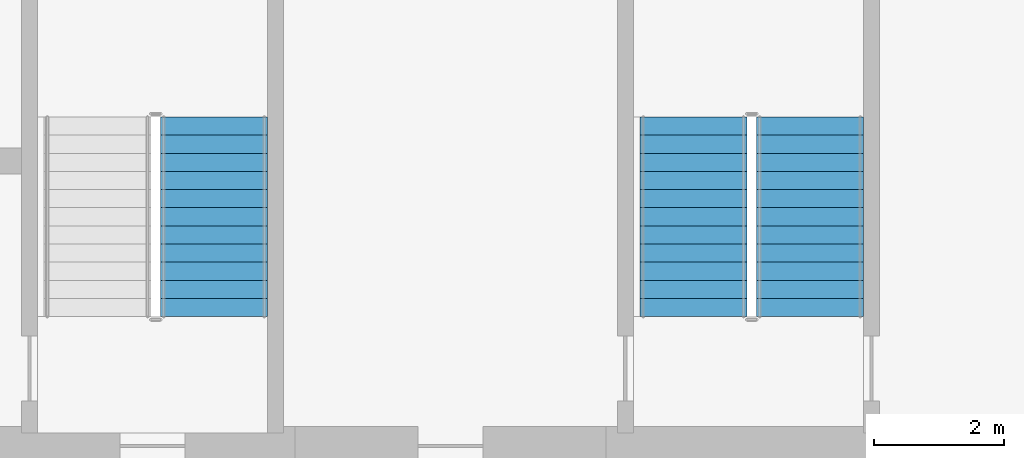
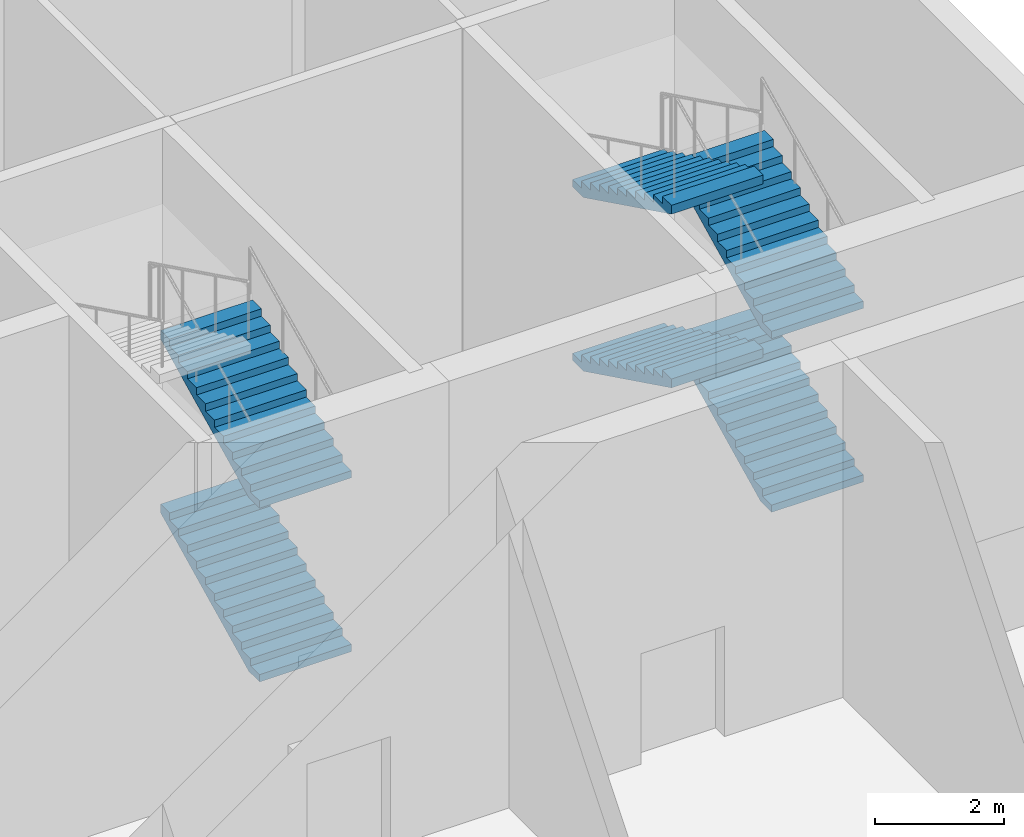
# One storey, part 11 of 13: 6 stair flights, 2 elements without a shape of their own.
"""IFC4 building model written with IfcOpenShell, lengths in metres."""

from ifc_helpers import new_model, si_unit, direction, frame, origin, place, context, subcontext, project, spatial, polyline, outline, extrude, material, layer, layer_set, type_object, element, aggregate, save


model = new_model("IFC4")

# Units and contexts
model_context = context("Model", 3, precision=1e-05, world=origin(), true_north=direction((0.0, 1.0)))
body_context = subcontext(model_context, "Body", "Model", "MODEL_VIEW")
ifc_project = project(units=[si_unit("LENGTHUNIT", "METRE"), si_unit("AREAUNIT", "SQUARE_METRE"), si_unit("VOLUMEUNIT", "CUBIC_METRE"), si_unit("PLANEANGLEUNIT", "RADIAN"), si_unit("MASSUNIT", "GRAM", prefix="KILO")], contexts=[model_context])

# Site, building, storey
site_placement = place(None, origin())
site = spatial("IfcSite", under=ifc_project, at=site_placement, CompositionType="ELEMENT")
building_placement = place(site_placement, origin())
building = spatial("IfcBuilding", under=site, at=building_placement, Name="Poui Terraces", CompositionType="ELEMENT")
storey_placement = place(building_placement, frame((0.0, 0.0, 214.800048828125)))
storey = spatial("IfcBuildingStorey", under=building, at=storey_placement, Name="L60", CompositionType="ELEMENT", Elevation=214.800048828125)

# Stair, stair flights
ifc_material = material(Name="Concrete 50 MPa", Category="concrete")
stair_type = type_object("IfcStairType", Name="EXIT STAIR 1650 50 MPA", PredefinedType="HALF_TURN_STAIR", material=ifc_material)
stair_1_placement = place(storey_placement, origin())
stair_1 = element("IfcStair", 1, at=stair_1_placement, inside=storey, type_object=stair_type, Name="L60 CORE STAIR EAST", PredefinedType="HALF_TURN_STAIR")
ifc_layer = layer(ifc_material, 0.14990234375)
ifc_layer_set = layer_set([ifc_layer], Name="Concrete 50 MPa")
stair_flight_type = type_object("IfcStairFlightType", Name="STAIR FLIGHT 12 RISERS 138 RISE 50 MPA", PredefinedType="STRAIGHT", material=ifc_layer_set)
stair_flight_1_placement = place(storey_placement, frame((71.050048828125, 16.60009765625, 0.0), z_axis=(0.0, 0.0, 1.0), x_axis=(0.0, 1.0, 0.0)))
stair_flight_1 = element("IfcStairFlight", 2, at=stair_flight_1_placement, type_object=stair_flight_type, Name="ST-CE flight 1", NumberOfRisers=12, NumberOfTreads=11, PredefinedType="STRAIGHT", RiserHeight=0.1375, TreadLength=0.28, context=body_context, shape_type="SweptSolid", body=[
    extrude(outline(polyline([(0.0, 0.0), (0.0, 0.137451171875), (0.280029296875, 0.137451171875), (0.280029296875, 0.27490234375), (0.56005859375, 0.27490234375), (0.56005859375, 0.41259765625), (0.840087890625, 0.41259765625), (0.840087890625, 0.550048828125), (1.1201171875, 0.550048828125), (1.1201171875, 0.6875), (1.39990234375, 0.6875), (1.39990234375, 0.824951171875), (1.679931640625, 0.824951171875), (1.679931640625, 0.96240234375), (1.9599609375, 0.96240234375), (1.9599609375, 1.10009765625), (2.239990234375, 1.10009765625), (2.239990234375, 1.237548828125), (2.52001953125, 1.237548828125), (2.52001953125, 1.375), (2.800048828125, 1.375), (2.800048828125, 1.512451171875), (3.080078125, 1.512451171875), (3.080078125, 1.64990234375), (3.080078125, 1.345458984375), (0.340087890625, 0.0), (0.0, 0.0)])), frame((0.0, 0.824951171875, 0.0), z_axis=(0.0, -1.0, 0.0), x_axis=(1.0, 0.0, 0.0)), (0.0, 0.0, 1.0), 1.64990234375),
])
stair_flight_2_placement = place(storey_placement, frame((71.050048828125, 16.60009765625, 3.300048828125), z_axis=(0.0, 0.0, 1.0), x_axis=(0.0, 1.0, 0.0)))
stair_flight_2 = element("IfcStairFlight", 3, at=stair_flight_2_placement, type_object=stair_flight_type, Name="ST-CE flight 3", NumberOfRisers=12, NumberOfTreads=11, PredefinedType="STRAIGHT", RiserHeight=0.1375, TreadLength=0.28, context=body_context, shape_type="SweptSolid", body=[
    extrude(outline(polyline([(0.0, 0.0), (0.0, 0.137451171875), (0.280029296875, 0.137451171875), (0.280029296875, 0.27490234375), (0.56005859375, 0.27490234375), (0.56005859375, 0.41259765625), (0.840087890625, 0.41259765625), (0.840087890625, 0.550048828125), (1.1201171875, 0.550048828125), (1.1201171875, 0.6875), (1.39990234375, 0.6875), (1.39990234375, 0.824951171875), (1.679931640625, 0.824951171875), (1.679931640625, 0.96240234375), (1.9599609375, 0.96240234375), (1.9599609375, 1.10009765625), (2.239990234375, 1.10009765625), (2.239990234375, 1.237548828125), (2.52001953125, 1.237548828125), (2.52001953125, 1.375), (2.800048828125, 1.375), (2.800048828125, 1.512451171875), (3.080078125, 1.512451171875), (3.080078125, 1.64990234375), (3.080078125, 1.345458984375), (0.340087890625, 0.0), (0.0, 0.0)])), frame((0.0, 0.824951171875, 0.0), z_axis=(0.0, -1.0, 0.0), x_axis=(1.0, 0.0, 0.0)), (0.0, 0.0, 1.0), 1.64990234375),
])
aggregate(stair_1, [stair_flight_1, stair_flight_2])

stair_2_placement = place(storey_placement, origin())
stair_2 = element("IfcStair", 4, at=stair_2_placement, inside=storey, type_object=stair_type, Name="L60 TIP STAIR EAST", PredefinedType="HALF_TURN_STAIR")
stair_flight_3_placement = place(storey_placement, frame((80.25, 16.60009765625, 0.0), z_axis=(0.0, 0.0, 1.0), x_axis=(0.0, 1.0, 0.0)))
stair_flight_3 = element("IfcStairFlight", 5, at=stair_flight_3_placement, type_object=stair_flight_type, Name="ST-E flight 1", NumberOfRisers=12, NumberOfTreads=11, PredefinedType="STRAIGHT", RiserHeight=0.1375, TreadLength=0.28, context=body_context, shape_type="SweptSolid", body=[
    extrude(outline(polyline([(0.0, 0.0), (0.0, 0.137451171875), (0.280029296875, 0.137451171875), (0.280029296875, 0.27490234375), (0.56005859375, 0.27490234375), (0.56005859375, 0.41259765625), (0.840087890625, 0.41259765625), (0.840087890625, 0.550048828125), (1.1201171875, 0.550048828125), (1.1201171875, 0.6875), (1.39990234375, 0.6875), (1.39990234375, 0.824951171875), (1.679931640625, 0.824951171875), (1.679931640625, 0.96240234375), (1.9599609375, 0.96240234375), (1.9599609375, 1.10009765625), (2.239990234375, 1.10009765625), (2.239990234375, 1.237548828125), (2.52001953125, 1.237548828125), (2.52001953125, 1.375), (2.800048828125, 1.375), (2.800048828125, 1.512451171875), (3.080078125, 1.512451171875), (3.080078125, 1.64990234375), (3.080078125, 1.345458984375), (0.340087890625, 0.0), (0.0, 0.0)])), frame((0.0, 0.824951171875, 0.0), z_axis=(0.0, -1.0, 0.0), x_axis=(1.0, 0.0, 0.0)), (0.0, 0.0, 1.0), 1.64990234375),
])
stair_flight_4_placement = place(storey_placement, frame((78.449951171875, 19.679931640625, 1.64990234375), z_axis=(0.0, 0.0, 1.0), x_axis=(0.0, -1.0, 0.0)))
stair_flight_4 = element("IfcStairFlight", 6, at=stair_flight_4_placement, type_object=stair_flight_type, Name="ST-E flight 2", NumberOfRisers=12, NumberOfTreads=11, PredefinedType="STRAIGHT", RiserHeight=0.1375, TreadLength=0.28, context=body_context, shape_type="SweptSolid", body=[
    extrude(outline(polyline([(0.0, 0.0), (0.0, 0.137451171875), (0.280029296875, 0.137451171875), (0.280029296875, 0.27490234375), (0.56005859375, 0.27490234375), (0.56005859375, 0.41259765625), (0.840087890625, 0.41259765625), (0.840087890625, 0.550048828125), (1.1201171875, 0.550048828125), (1.1201171875, 0.6875), (1.39990234375, 0.6875), (1.39990234375, 0.824951171875), (1.679931640625, 0.824951171875), (1.679931640625, 0.96240234375), (1.9599609375, 0.96240234375), (1.9599609375, 1.10009765625), (2.239990234375, 1.10009765625), (2.239990234375, 1.237548828125), (2.52001953125, 1.237548828125), (2.52001953125, 1.375), (2.800048828125, 1.375), (2.800048828125, 1.512451171875), (3.080078125, 1.512451171875), (3.080078125, 1.64990234375), (3.080078125, 1.345458984375), (0.340087890625, 0.0), (0.0, 0.0)])), frame((0.0, 0.824951171875, 0.0), z_axis=(0.0, -1.0, 0.0), x_axis=(1.0, 0.0, 0.0)), (0.0, 0.0, 1.0), 1.64990234375),
])
stair_flight_5_placement = place(storey_placement, frame((80.25, 16.60009765625, 3.300048828125), z_axis=(0.0, 0.0, 1.0), x_axis=(0.0, 1.0, 0.0)))
stair_flight_5 = element("IfcStairFlight", 7, at=stair_flight_5_placement, type_object=stair_flight_type, Name="ST-E flight 3", NumberOfRisers=12, NumberOfTreads=11, PredefinedType="STRAIGHT", RiserHeight=0.1375, TreadLength=0.28, context=body_context, shape_type="SweptSolid", body=[
    extrude(outline(polyline([(0.0, 0.0), (0.0, 0.137451171875), (0.280029296875, 0.137451171875), (0.280029296875, 0.27490234375), (0.56005859375, 0.27490234375), (0.56005859375, 0.41259765625), (0.840087890625, 0.41259765625), (0.840087890625, 0.550048828125), (1.1201171875, 0.550048828125), (1.1201171875, 0.6875), (1.39990234375, 0.6875), (1.39990234375, 0.824951171875), (1.679931640625, 0.824951171875), (1.679931640625, 0.96240234375), (1.9599609375, 0.96240234375), (1.9599609375, 1.10009765625), (2.239990234375, 1.10009765625), (2.239990234375, 1.237548828125), (2.52001953125, 1.237548828125), (2.52001953125, 1.375), (2.800048828125, 1.375), (2.800048828125, 1.512451171875), (3.080078125, 1.512451171875), (3.080078125, 1.64990234375), (3.080078125, 1.345458984375), (0.340087890625, 0.0), (0.0, 0.0)])), frame((0.0, 0.824951171875, 0.0), z_axis=(0.0, -1.0, 0.0), x_axis=(1.0, 0.0, 0.0)), (0.0, 0.0, 1.0), 1.64990234375),
])
stair_flight_6_placement = place(storey_placement, frame((78.449951171875, 19.679931640625, 4.949951171875), z_axis=(0.0, 0.0, 1.0), x_axis=(0.0, -1.0, 0.0)))
stair_flight_6 = element("IfcStairFlight", 8, at=stair_flight_6_placement, type_object=stair_flight_type, Name="ST-E flight 4", NumberOfRisers=12, NumberOfTreads=11, PredefinedType="STRAIGHT", RiserHeight=0.1375, TreadLength=0.28, context=body_context, shape_type="SweptSolid", body=[
    extrude(outline(polyline([(0.0, 0.0), (0.0, 0.137451171875), (0.280029296875, 0.137451171875), (0.280029296875, 0.27490234375), (0.56005859375, 0.27490234375), (0.56005859375, 0.41259765625), (0.840087890625, 0.41259765625), (0.840087890625, 0.550048828125), (1.1201171875, 0.550048828125), (1.1201171875, 0.6875), (1.39990234375, 0.6875), (1.39990234375, 0.824951171875), (1.679931640625, 0.824951171875), (1.679931640625, 0.96240234375), (1.9599609375, 0.96240234375), (1.9599609375, 1.10009765625), (2.239990234375, 1.10009765625), (2.239990234375, 1.237548828125), (2.52001953125, 1.237548828125), (2.52001953125, 1.375), (2.800048828125, 1.375), (2.800048828125, 1.512451171875), (3.080078125, 1.512451171875), (3.080078125, 1.64990234375), (3.080078125, 1.345458984375), (0.340087890625, 0.0), (0.0, 0.0)])), frame((0.0, 0.824951171875, 0.0), z_axis=(0.0, -1.0, 0.0), x_axis=(1.0, 0.0, 0.0)), (0.0, 0.0, 1.0), 1.64990234375),
])
aggregate(stair_2, [stair_flight_3, stair_flight_4, stair_flight_5, stair_flight_6])

save(model, "model.ifc")
